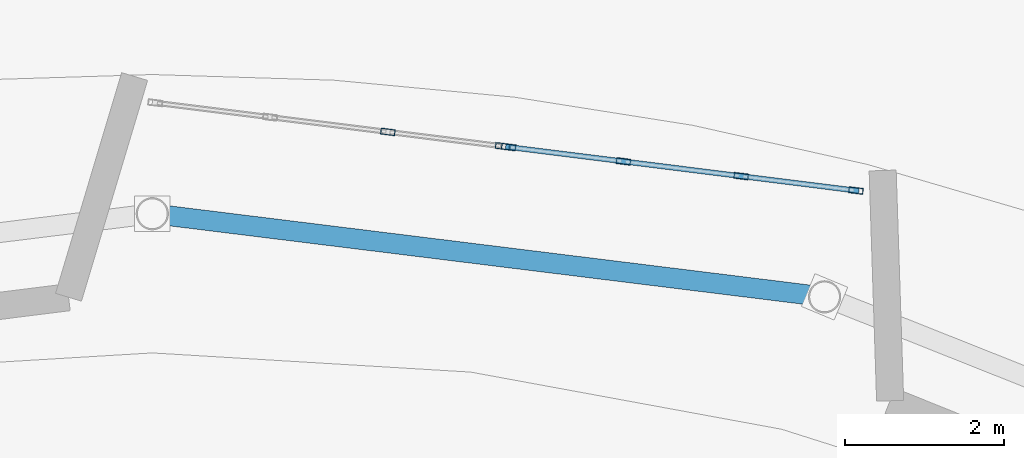
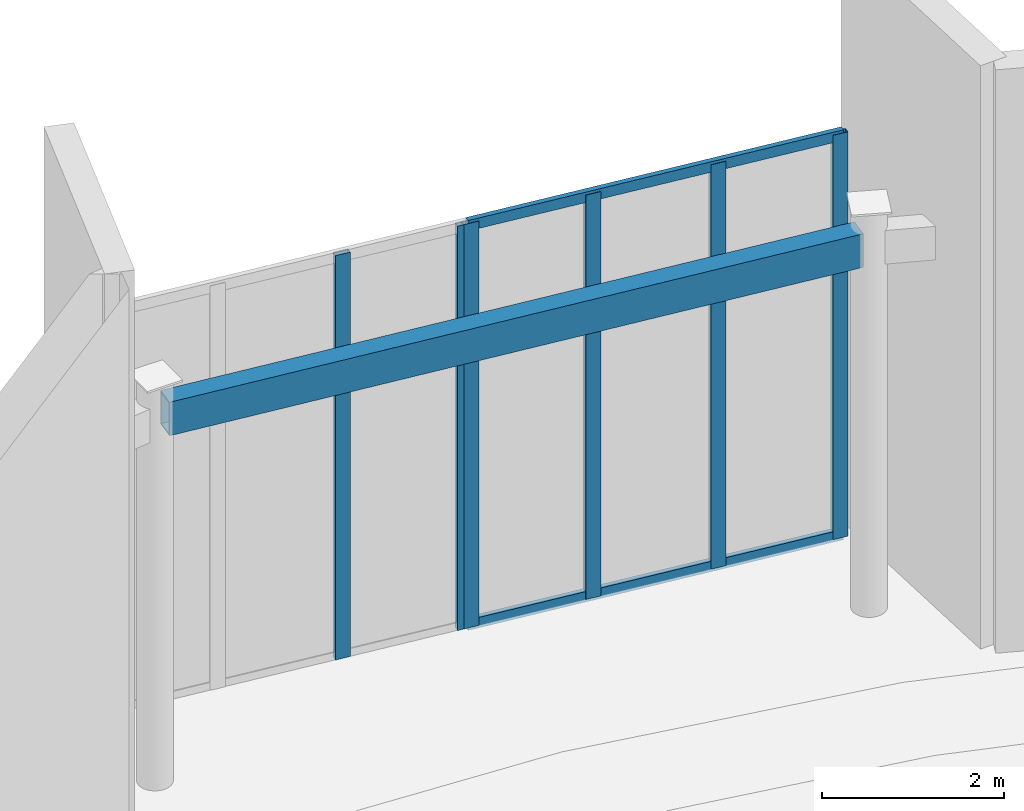
# One storey, part 45 of 94: 8 members, 1 beam, 2 elements without a shape of their own.
"""IFC4 building model written with IfcOpenShell, lengths in metres."""

from ifc_helpers import new_model, si_unit, direction, frame, origin, origin_2d, place, context, subcontext, project, spatial, hollow_rectangle, extrude, material, layer, layer_set, material_profile, profile_set, type_object, element, aggregate, save


model = new_model("IFC4")

# Units and contexts
model_context = context("Model", 3, precision=1e-05, world=origin(), true_north=direction((0.0, 1.0)))
body_context = subcontext(model_context, "Body", "Model", "MODEL_VIEW")
ifc_project = project(units=[si_unit("LENGTHUNIT", "METRE"), si_unit("AREAUNIT", "SQUARE_METRE"), si_unit("VOLUMEUNIT", "CUBIC_METRE"), si_unit("PLANEANGLEUNIT", "RADIAN"), si_unit("MASSUNIT", "GRAM", prefix="KILO")], contexts=[model_context])

# Site, building, storey
site_placement = place(None, origin())
site = spatial("IfcSite", under=ifc_project, at=site_placement, CompositionType="ELEMENT")
building_placement = place(site_placement, origin())
building = spatial("IfcBuilding", under=site, at=building_placement, Name="Sollismere Congress Hotel", CompositionType="ELEMENT")
storey_placement = place(building_placement, origin())
storey = spatial("IfcBuildingStorey", under=building, at=storey_placement, Name="L00", CompositionType="ELEMENT", Elevation=0.0)

# Beam
ifc_material_1 = material(Name="Steel ASTM A500 Grade C", Category="steel")
ifc_material_profile_1 = material_profile(ifc_material_1, hollow_rectangle(XDim=0.25, YDim=0.449951171875, WallThickness=0.01611328125, at=origin_2d()), Name="HSS450X250X16")
ifc_profile_set_1 = profile_set([ifc_material_profile_1], Name="Steel ASTM A500 Grade C")
beam_type = type_object("IfcBeamType", Name="BM-BX450", PredefinedType="HOLLOWCORE", material=ifc_profile_set_1)
beam_placement = place(storey_placement, frame((37.33251953125, 110.7197265625, 4.889892578125), z_axis=(-0.992441298933, 0.122720284274, 0.0), x_axis=(-0.122720284274, -0.992441298933, 0.0)))
element("IfcBeam", 1, at=beam_placement, inside=storey, type_object=beam_type, Name="Beam BM-L00-4170", PredefinedType="HOLLOWCORE", context=body_context, shape_type="SweptSolid", body=[
    extrude(hollow_rectangle(XDim=0.25, YDim=0.449951171875, WallThickness=0.01611328125, at=origin_2d()), origin(), (0.0, 0.0, 1.0), 8.27587890625),
])

# Curtain wall, members
ifc_material_2 = material(Name="Anodized Bronze Curtain Wall & Low-E Triple Glazing", Category="glass")
ifc_layer = layer(ifc_material_2, 0.199951171875, Name="Anodized Bronze Curtain Wall & Low-E Triple Glazing")
ifc_layer_set = layer_set([ifc_layer], Name="Anodized Bronze Curtain Wall & Low-E Triple Glazing")
curtain_wall_type = type_object("IfcCurtainWallType", Name="CW-GLZ36", PredefinedType="USERDEFINED", material=ifc_layer_set)
curtain_wall_1_placement = place(storey_placement, origin())
curtain_wall_1 = element("IfcCurtainWall", 2, at=curtain_wall_1_placement, inside=storey, type_object=curtain_wall_type, Name="Unitised curtain wall CW-L00-011", ObjectType="UNITISED CURTAIN WALL", PredefinedType="USERDEFINED")
ifc_material_3 = material(Name="Anodized Aluminum 6063-T6", Category="aluminium")
ifc_material_profile_2 = material_profile(ifc_material_3, hollow_rectangle(XDim=0.074951171875, YDim=0.179931640625, WallThickness=0.0048828125, at=origin_2d()), Name="ALU180X75X5")
ifc_profile_set_2 = profile_set([ifc_material_profile_2], Name="Anodized Aluminum 6063-T6")
member_type_1 = type_object("IfcMemberType", Name="ML-CW180", PredefinedType="MULLION", material=ifc_profile_set_2)
member_1_placement = place(storey_placement, frame((37.846435546875, 112.041259765625, 0.0), z_axis=(0.0, 0.0, 1.0), x_axis=(-0.124363496441, -0.992236726166, 0.0)))
member_1 = element("IfcMember", 3, at=member_1_placement, type_object=member_type_1, Name="CWL-CW-L00-011-ML01", PredefinedType="MULLION", context=body_context, shape_type="SweptSolid", body=[
    extrude(hollow_rectangle(XDim=0.074951171875, YDim=0.179931640625, WallThickness=0.0048828125, at=origin_2d()), origin(), (0.0, 0.0, 1.0), 5.419921875),
])
member_2_placement = place(storey_placement, frame((36.403564453125, 112.22216796875, 0.0), z_axis=(0.0, 0.0, 1.0), x_axis=(-0.124363496441, -0.992236726166, 0.0)))
member_2 = element("IfcMember", 4, at=member_2_placement, type_object=member_type_1, Name="CWL-CW-L00-011-ML02", PredefinedType="MULLION", context=body_context, shape_type="SweptSolid", body=[
    extrude(hollow_rectangle(XDim=0.074951171875, YDim=0.179931640625, WallThickness=0.0048828125, at=origin_2d()), origin(), (0.0, 0.0, 1.0), 5.419921875),
])
member_3_placement = place(storey_placement, frame((34.9228515625, 112.40771484375, 0.0), z_axis=(0.0, 0.0, 1.0), x_axis=(-0.124363496441, -0.992236726166, 0.0)))
member_3 = element("IfcMember", 5, at=member_3_placement, type_object=member_type_1, Name="CWL-CW-L00-011-ML03", PredefinedType="MULLION", context=body_context, shape_type="SweptSolid", body=[
    extrude(hollow_rectangle(XDim=0.074951171875, YDim=0.179931640625, WallThickness=0.0048828125, at=origin_2d()), origin(), (0.0, 0.0, 1.0), 5.419921875),
])
member_4_placement = place(storey_placement, frame((33.479736328125, 112.58837890625, 0.0), z_axis=(0.0, 0.0, 1.0), x_axis=(-0.124363496441, -0.992236726166, 0.0)))
member_4 = element("IfcMember", 6, at=member_4_placement, type_object=member_type_1, Name="CWL-CW-L00-011-ML04", PredefinedType="MULLION", context=body_context, shape_type="SweptSolid", body=[
    extrude(hollow_rectangle(XDim=0.074951171875, YDim=0.179931640625, WallThickness=0.0048828125, at=origin_2d()), origin(), (0.0, 0.0, 1.0), 5.419921875),
])

curtain_wall_2_placement = place(storey_placement, origin())
curtain_wall_2 = element("IfcCurtainWall", 7, at=curtain_wall_2_placement, inside=storey, type_object=curtain_wall_type, Name="Unitised curtain wall CW-L00-012", ObjectType="UNITISED CURTAIN WALL", PredefinedType="USERDEFINED")
member_5_placement = place(storey_placement, frame((33.404296875, 112.597900390625, 0.0), z_axis=(0.0, 0.0, 1.0), x_axis=(-0.124363496441, -0.992236726166, 0.0)))
member_5 = element("IfcMember", 8, at=member_5_placement, type_object=member_type_1, Name="CWL-CW-L00-012-ML01", PredefinedType="MULLION", context=body_context, shape_type="SweptSolid", body=[
    extrude(hollow_rectangle(XDim=0.074951171875, YDim=0.179931640625, WallThickness=0.0048828125, at=origin_2d()), origin(), (0.0, 0.0, 1.0), 5.419921875),
])
member_6_placement = place(storey_placement, frame((31.96142578125, 112.77880859375, 0.0), z_axis=(0.0, 0.0, 1.0), x_axis=(-0.124363496441, -0.992236726166, 0.0)))
member_6 = element("IfcMember", 9, at=member_6_placement, type_object=member_type_1, Name="CWL-CW-L00-012-ML02", PredefinedType="MULLION", context=body_context, shape_type="SweptSolid", body=[
    extrude(hollow_rectangle(XDim=0.074951171875, YDim=0.179931640625, WallThickness=0.0048828125, at=origin_2d()), origin(), (0.0, 0.0, 1.0), 5.419921875),
])
aggregate(curtain_wall_2, [member_5, member_6])

# Member
ifc_material_profile_3 = material_profile(ifc_material_3, hollow_rectangle(XDim=0.06494140625, YDim=0.139892578125, WallThickness=0.00390625, at=origin_2d()), Name="ALU140X65X4")
ifc_profile_set_3 = profile_set([ifc_material_profile_3], Name="Anodized Aluminum 6063-T6")
member_type_2 = type_object("IfcMemberType", Name="TR-CW150", PredefinedType="MEMBER", material=ifc_profile_set_3)
member_7_placement = place(storey_placement, frame((37.88427734375, 112.03662109375, 0.032470703125), z_axis=(-0.992240076669, 0.124336761462, 0.0), x_axis=(-0.124336761462, -0.992240076669, 0.0)))
member_7 = element("IfcMember", 10, at=member_7_placement, type_object=member_type_2, Name="CWL-CW-L00-011-TR1", PredefinedType="MEMBER", context=body_context, shape_type="SweptSolid", body=[
    extrude(hollow_rectangle(XDim=0.06494140625, YDim=0.139892578125, WallThickness=0.00390625, at=origin_2d()), origin(), (0.0, 0.0, 1.0), 4.476806640625),
])

member_8_placement = place(storey_placement, frame((37.88427734375, 112.03662109375, 5.387451171875), z_axis=(-0.992240076669, 0.124336761462, 0.0), x_axis=(-0.124336761462, -0.992240076669, 0.0)))
member_8 = element("IfcMember", 11, at=member_8_placement, type_object=member_type_2, Name="CWL-CW-L00-011-TR2", PredefinedType="MEMBER", context=body_context, shape_type="SweptSolid", body=[
    extrude(hollow_rectangle(XDim=0.06494140625, YDim=0.139892578125, WallThickness=0.00390625, at=origin_2d()), origin(), (0.0, 0.0, 1.0), 4.476806640625),
])

aggregate(curtain_wall_1, [member_1, member_2, member_3, member_4, member_7, member_8])

save(model, "model.ifc")
